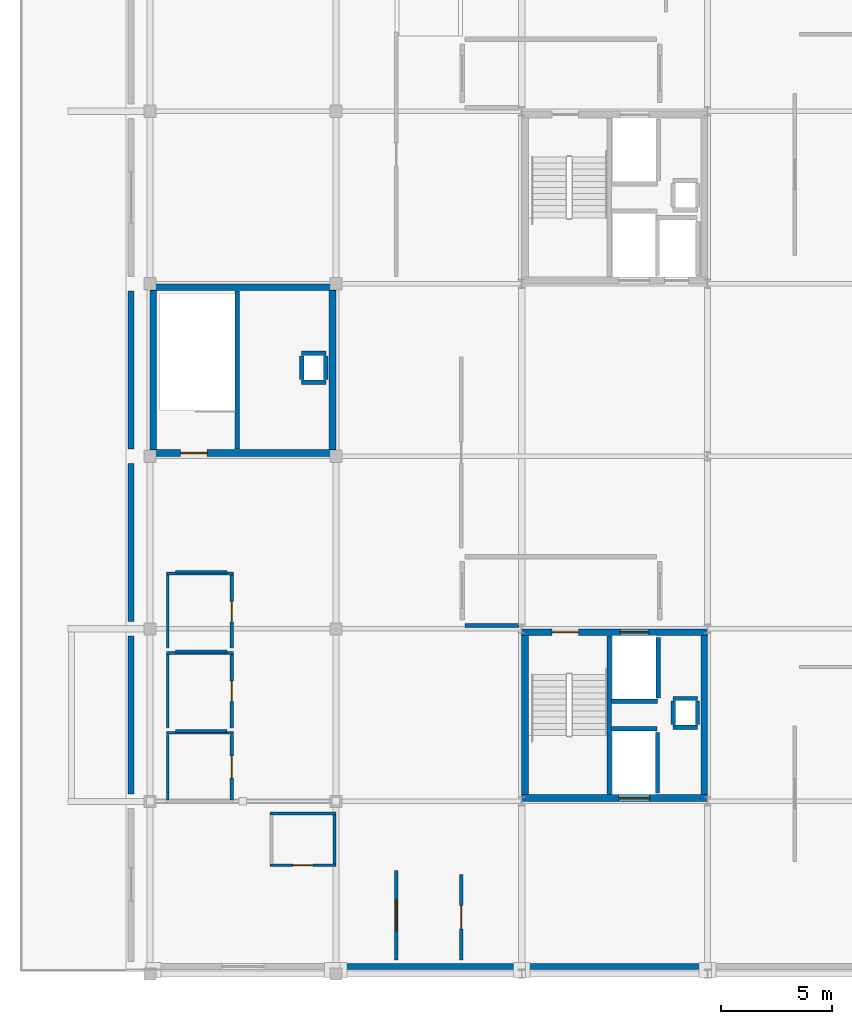
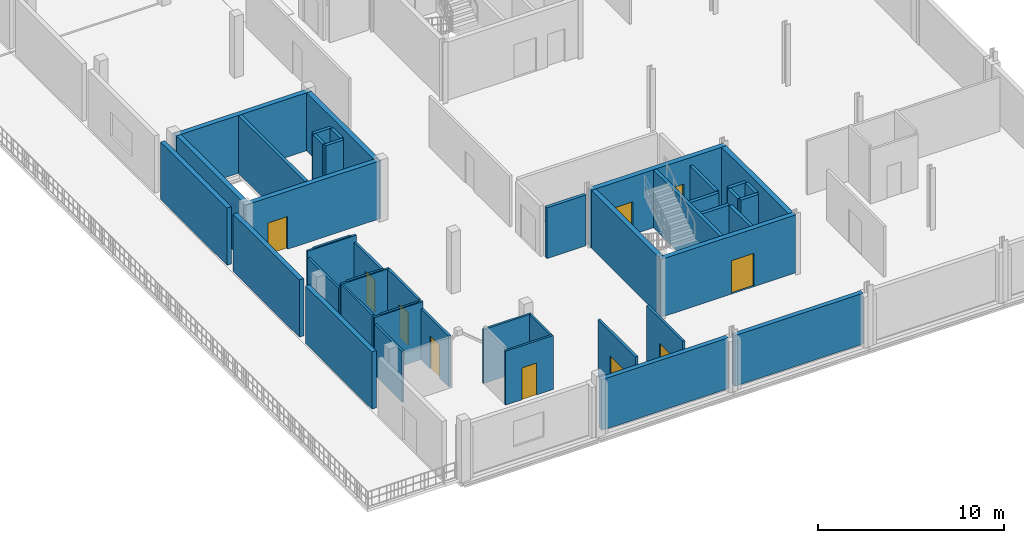
# One storey, part 7 of 16: 45 walls, 10 doors, 10 openings.
"""IFC4 building model written with IfcOpenShell, lengths in metres."""

from ifc_helpers import new_model, si_unit, direction, frame, frame_2d, origin, place, context, subcontext, project, spatial, rectangle, extrude, material, layer, layer_set, type_object, element, fill, save


model = new_model("IFC4")

# Units and contexts
model_context = context("Model", 3, precision=1e-05, world=origin(), true_north=direction((0.0, 1.0)))
body_context = subcontext(model_context, "Body", "Model", "MODEL_VIEW")
ifc_project = project(units=[si_unit("LENGTHUNIT", "METRE"), si_unit("AREAUNIT", "SQUARE_METRE"), si_unit("VOLUMEUNIT", "CUBIC_METRE"), si_unit("PLANEANGLEUNIT", "RADIAN"), si_unit("MASSUNIT", "GRAM", prefix="KILO")], contexts=[model_context])

# Site, building, storey
site_placement = place(None, origin())
site = spatial("IfcSite", under=ifc_project, at=site_placement, CompositionType="ELEMENT")
building_placement = place(site_placement, origin())
building = spatial("IfcBuilding", under=site, at=building_placement, Name="Nabrawat Pavilion Hospital", CompositionType="ELEMENT")
storey_placement = place(building_placement, frame((0.0, 0.0, 31.050048828125)))
storey = spatial("IfcBuildingStorey", under=building, at=storey_placement, Name="L07", CompositionType="ELEMENT", Elevation=31.050048828125)

# Wall, opening, door
ifc_material_1 = material(Name="Gypsum Fireboard on Steel Stud", Category="steel")
ifc_layer_1 = layer(ifc_material_1, 0.14990234375, Name="Gypsum Fireboard on Steel Stud")
ifc_layer_set_1 = layer_set([ifc_layer_1], Name="Gypsum Fireboard on Steel Stud")
wall_type_1 = type_object("IfcWallType", Name="Clinical Corridor Smoke-Barrier Wall 150", PredefinedType="PARTITIONING", material=ifc_layer_set_1)
wall_1_placement = place(storey_placement, frame((154.89990234375, 46.864990234375, 0.0), z_axis=(0.0, 0.0, 1.0), x_axis=(0.0, 1.0, 0.0)))
wall_1 = element("IfcWall", 1, at=wall_1_placement, inside=storey, type_object=wall_type_1, Name="L07 L07 Accessible WC Front Partition", PredefinedType="PARTITIONING", context=body_context, shape_type="SweptSolid", body=[
    extrude(rectangle(XDim=2.969970703125, YDim=0.14990234375, at=frame_2d((1.48486328125, 0.0))), origin(), (0.0, 0.0, 1.0), 3.33984375),
])
opening_1_placement = place(wall_1_placement, frame((0.985107421875, 0.0, 0.0)))
opening_1 = element("IfcOpeningElement", 2, at=opening_1_placement, cuts=wall_1, Name="Opening D-WC-ACC", PredefinedType="OPENING", context=body_context, shape_type="SweptSolid", body=[
    extrude(rectangle(XDim=1.0, YDim=2.14990234375, at=frame_2d((0.5, 1.074951171875))), frame((0.0, 0.0849609375, 0.0), z_axis=(0.0, -1.0, 0.0), x_axis=(1.0, 0.0, 0.0)), (0.0, 0.0, 1.0), 0.169921875),
])
ifc_material_2 = material(Name="Stainless-Clad Acoustic Timber and Vision Glass", Category="wood")
door_type_1 = type_object("IfcDoorType", Name="Accessible Washroom Outward Door 1000x2150", OperationType="NOTDEFINED", PredefinedType="DOOR", material=ifc_material_2)
door_1_placement = place(opening_1_placement, origin())
door_1 = element("IfcDoor", 3, at=door_1_placement, inside=storey, type_object=door_type_1, Name="L07 Accessible WC Door", OperationType="SINGLE_SWING_LEFT", OverallHeight=2.14990234375, OverallWidth=1.0, PredefinedType="DOOR", context=body_context, shape_type="SweptSolid", body=[
    extrude(rectangle(XDim=1.0, YDim=2.14990234375, at=frame_2d((0.5, 1.074951171875))), frame((0.0, 0.02490234375, 0.0), z_axis=(0.0, -1.0, 0.0), x_axis=(1.0, 0.0, 0.0)), (0.0, 0.0, 1.0), 0.050048828125),
])
fill(opening_1, door_1)

wall_2_placement = place(storey_placement, frame((154.89990234375, 50.125, 0.0), z_axis=(0.0, 0.0, 1.0), x_axis=(0.0, 1.0, 0.0)))
wall_2 = element("IfcWall", 4, at=wall_2_placement, inside=storey, type_object=wall_type_1, Name="L07 L07 Visitor Female Washroom Front Partition", PredefinedType="PARTITIONING", context=body_context, shape_type="SweptSolid", body=[
    extrude(rectangle(XDim=3.31005859375, YDim=0.14990234375, at=frame_2d((1.655029296875, 0.0))), origin(), (0.0, 0.0, 1.0), 3.77001953125),
])
opening_2_placement = place(wall_2_placement, frame((1.195068359375, 0.0, 0.0)))
opening_2 = element("IfcOpeningElement", 5, at=opening_2_placement, cuts=wall_2, Name="Opening D-WC-STD", PredefinedType="OPENING", context=body_context, shape_type="SweptSolid", body=[
    extrude(rectangle(XDim=0.919921875, YDim=2.14990234375, at=frame_2d((0.4599609375, 1.074951171875))), frame((0.0, 0.0849609375, 0.0), z_axis=(0.0, -1.0, 0.0), x_axis=(1.0, 0.0, 0.0)), (0.0, 0.0, 1.0), 0.169921875),
])
door_type_2 = type_object("IfcDoorType", Name="Washroom Lobby Privacy Door 920x2150", OperationType="NOTDEFINED", PredefinedType="DOOR", material=ifc_material_2)
door_2_placement = place(opening_2_placement, origin())
door_2 = element("IfcDoor", 6, at=door_2_placement, inside=storey, type_object=door_type_2, Name="L07 Visitor Female Washroom Door", OperationType="SINGLE_SWING_RIGHT", OverallHeight=2.14990234375, OverallWidth=0.919921875, PredefinedType="DOOR", context=body_context, shape_type="SweptSolid", body=[
    extrude(rectangle(XDim=0.919921875, YDim=2.14990234375, at=frame_2d((0.4599609375, 1.074951171875))), frame((0.0, 0.02490234375, 0.0), z_axis=(0.0, -1.0, 0.0), x_axis=(1.0, 0.0, 0.0)), (0.0, 0.0, 1.0), 0.050048828125),
])
fill(opening_2, door_2)

wall_3_placement = place(storey_placement, frame((154.89990234375, 53.72509765625, 0.0), z_axis=(0.0, 0.0, 1.0), x_axis=(0.0, 1.0, 0.0)))
wall_3 = element("IfcWall", 7, at=wall_3_placement, inside=storey, type_object=wall_type_1, Name="L07 L07 Visitor Male Washroom Front Partition", PredefinedType="PARTITIONING", context=body_context, shape_type="SweptSolid", body=[
    extrude(rectangle(XDim=3.309814453125, YDim=0.14990234375, at=frame_2d((1.65478515625, 0.0))), origin(), (0.0, 0.0, 1.0), 3.33984375),
])
opening_3_placement = place(wall_3_placement, frame((1.195068359375, 0.0, 0.0)))
opening_3 = element("IfcOpeningElement", 8, at=opening_3_placement, cuts=wall_3, Name="Opening D-WC-STD", PredefinedType="OPENING", context=body_context, shape_type="SweptSolid", body=[
    extrude(rectangle(XDim=0.919921875, YDim=2.14990234375, at=frame_2d((0.4599609375, 1.074951171875))), frame((0.0, 0.0849609375, 0.0), z_axis=(0.0, -1.0, 0.0), x_axis=(1.0, 0.0, 0.0)), (0.0, 0.0, 1.0), 0.169921875),
])
door_3_placement = place(opening_3_placement, origin())
door_3 = element("IfcDoor", 9, at=door_3_placement, inside=storey, type_object=door_type_2, Name="L07 Visitor Male Washroom Door", OperationType="SINGLE_SWING_LEFT", OverallHeight=2.14990234375, OverallWidth=0.919921875, PredefinedType="DOOR", context=body_context, shape_type="SweptSolid", body=[
    extrude(rectangle(XDim=0.919921875, YDim=2.14990234375, at=frame_2d((0.4599609375, 1.074951171875))), frame((0.0, 0.02490234375, 0.0), z_axis=(0.0, -1.0, 0.0), x_axis=(1.0, 0.0, 0.0)), (0.0, 0.0, 1.0), 0.050048828125),
])
fill(opening_3, door_3)

wall_4_placement = place(storey_placement, frame((162.3349609375, 39.6201171875, 0.0), z_axis=(0.0, 0.0, 1.0), x_axis=(0.0, 1.0, 0.0)))
wall_4 = element("IfcWall", 10, at=wall_4_placement, inside=storey, type_object=wall_type_1, Name="L07 Inpatient Ward Acute Recovery Suite L07-01 Front Partition", PredefinedType="PARTITIONING", context=body_context, shape_type="SweptSolid", body=[
    extrude(rectangle(XDim=4.0498046875, YDim=0.14990234375, at=frame_2d((2.02490234375, 0.0))), origin(), (0.0, 0.0, 1.0), 3.77001953125),
])
opening_4_placement = place(wall_4_placement, frame((1.324951171875, 0.0, 0.0)))
opening_4 = element("IfcOpeningElement", 11, at=opening_4_placement, cuts=wall_4, Name="Opening D-BED", PredefinedType="OPENING", context=body_context, shape_type="SweptSolid", body=[
    extrude(rectangle(XDim=1.39990234375, YDim=2.199951171875, at=frame_2d((0.699951171875, 1.10009765625))), frame((0.0, 0.0849609375, 0.0), z_axis=(0.0, -1.0, 0.0), x_axis=(1.0, 0.0, 0.0)), (0.0, 0.0, 1.0), 0.169921875),
])
door_type_3 = type_object("IfcDoorType", Name="D-BED Inpatient Ward Leaf-and-a-Half Door 1400x2200", OperationType="NOTDEFINED", PredefinedType="DOOR", material=ifc_material_2)
door_4_placement = place(opening_4_placement, origin())
door_4 = element("IfcDoor", 12, at=door_4_placement, inside=storey, type_object=door_type_3, Name="Inpatient Ward Acute Recovery Suite L07-01 Door", OperationType="SINGLE_SWING_LEFT", OverallHeight=2.199951171875, OverallWidth=1.39990234375, PredefinedType="DOOR", context=body_context, shape_type="SweptSolid", body=[
    extrude(rectangle(XDim=1.39990234375, YDim=2.199951171875, at=frame_2d((0.699951171875, 1.10009765625))), frame((0.0, 0.02490234375, 0.0), z_axis=(0.0, -1.0, 0.0), x_axis=(1.0, 0.0, 0.0)), (0.0, 0.0, 1.0), 0.050048828125),
])
fill(opening_4, door_4)

wall_5_placement = place(storey_placement, frame((165.264892578125, 39.6201171875, 0.0), z_axis=(0.0, 0.0, 1.0), x_axis=(0.0, 1.0, 0.0)))
wall_5 = element("IfcWall", 13, at=wall_5_placement, inside=storey, type_object=wall_type_1, Name="L07 Respiratory Pulmonary Rehabilitation Suite L07-03 Front Partition", PredefinedType="PARTITIONING", context=body_context, shape_type="SweptSolid", body=[
    extrude(rectangle(XDim=3.8798828125, YDim=0.14990234375, at=frame_2d((1.93994140625, 0.0))), origin(), (0.0, 0.0, 1.0), 3.77001953125),
])
opening_5_placement = place(wall_5_placement, frame((1.4150390625, 0.0, 0.0)))
opening_5 = element("IfcOpeningElement", 14, at=opening_5_placement, cuts=wall_5, Name="Opening D-OPC-L", PredefinedType="OPENING", context=body_context, shape_type="SweptSolid", body=[
    extrude(rectangle(XDim=1.050048828125, YDim=2.14990234375, at=frame_2d((0.52490234375, 1.074951171875))), frame((0.0, 0.0849609375, 0.0), z_axis=(0.0, -1.0, 0.0), x_axis=(1.0, 0.0, 0.0)), (0.0, 0.0, 1.0), 0.169921875),
])
door_type_4 = type_object("IfcDoorType", Name="Outpatient Clinic Consultation Door L 1050x2150", OperationType="NOTDEFINED", PredefinedType="DOOR", material=ifc_material_2)
door_5_placement = place(opening_5_placement, origin())
door_5 = element("IfcDoor", 15, at=door_5_placement, inside=storey, type_object=door_type_4, Name="Respiratory Pulmonary Rehabilitation Suite L07-03 Door", OperationType="SINGLE_SWING_RIGHT", OverallHeight=2.14990234375, OverallWidth=1.050048828125, PredefinedType="DOOR", context=body_context, shape_type="SweptSolid", body=[
    extrude(rectangle(XDim=1.050048828125, YDim=2.14990234375, at=frame_2d((0.52490234375, 1.074951171875))), frame((0.0, 0.02490234375, 0.0), z_axis=(0.0, -1.0, 0.0), x_axis=(1.0, 0.0, 0.0)), (0.0, 0.0, 1.0), 0.050048828125),
])
fill(opening_5, door_5)

# Walls
ifc_material_3 = material(Name="Cement Board on Steel Stud", Category="steel")
ifc_layer_2 = layer(ifc_material_3, 0.1298828125, Name="Cement Board on Steel Stud")
ifc_layer_set_2 = layer_set([ifc_layer_2], Name="Cement Board on Steel Stud")
wall_type_2 = type_object("IfcWallType", Name="En-Suite Moisture-Resistant Partition 130", PredefinedType="PARTITIONING", material=ifc_layer_set_2)
wall_6_placement = place(storey_placement, frame((151.93505859375, 49.89990234375, 0.0), z_axis=(0.0, 0.0, 1.0), x_axis=(1.0, 0.0, 0.0)))
element("IfcWall", 16, at=wall_6_placement, inside=storey, type_object=wall_type_2, Name="L07 L07 Accessible WC North Partition", PredefinedType="PARTITIONING", context=body_context, shape_type="SweptSolid", body=[
    extrude(rectangle(XDim=3.030029296875, YDim=0.1298828125, at=frame_2d((1.51513671875, 0.0))), origin(), (0.0, 0.0, 1.0), 3.77001953125),
])
wall_7_placement = place(storey_placement, frame((152.0, 46.864990234375, 0.0), z_axis=(0.0, 0.0, 1.0), x_axis=(0.0, 1.0, 0.0)))
element("IfcWall", 17, at=wall_7_placement, inside=storey, type_object=wall_type_2, Name="L07 L07 Accessible WC West Partition", PredefinedType="PARTITIONING", context=body_context, shape_type="SweptSolid", body=[
    extrude(rectangle(XDim=2.969970703125, YDim=0.1298828125, at=frame_2d((1.48486328125, 0.0))), origin(), (0.0, 0.0, 1.0), 3.33984375),
])
wall_8_placement = place(storey_placement, frame((152.35009765625, 49.97998046875, 0.0), z_axis=(0.0, 0.0, 1.0), x_axis=(1.0, 0.0, 0.0)))
element("IfcWall", 18, at=wall_8_placement, inside=storey, type_object=wall_type_2, Name="L07 L07 Accessible WC Dividing Partition", PredefinedType="PARTITIONING", context=body_context, shape_type="SweptSolid", body=[
    extrude(rectangle(XDim=2.329833984375, YDim=0.1298828125, at=frame_2d((1.1650390625, 0.0))), origin(), (0.0, 0.0, 1.0), 3.77001953125),
])
wall_9_placement = place(storey_placement, frame((151.93505859375, 53.5, 0.0), z_axis=(0.0, 0.0, 1.0), x_axis=(1.0, 0.0, 0.0)))
element("IfcWall", 19, at=wall_9_placement, inside=storey, type_object=wall_type_2, Name="L07 L07 Visitor Female Washroom North Partition", PredefinedType="PARTITIONING", context=body_context, shape_type="SweptSolid", body=[
    extrude(rectangle(XDim=3.030029296875, YDim=0.1298828125, at=frame_2d((1.51513671875, 0.0))), origin(), (0.0, 0.0, 1.0), 3.77001953125),
])
wall_10_placement = place(storey_placement, frame((152.0, 50.125, 0.0), z_axis=(0.0, 0.0, 1.0), x_axis=(0.0, 1.0, 0.0)))
element("IfcWall", 20, at=wall_10_placement, inside=storey, type_object=wall_type_2, Name="L07 L07 Visitor Female Washroom West Partition", PredefinedType="PARTITIONING", context=body_context, shape_type="SweptSolid", body=[
    extrude(rectangle(XDim=3.31005859375, YDim=0.1298828125, at=frame_2d((1.655029296875, 0.0))), origin(), (0.0, 0.0, 1.0), 3.77001953125),
])
wall_11_placement = place(storey_placement, frame((152.35009765625, 53.580078125, 0.0), z_axis=(0.0, 0.0, 1.0), x_axis=(1.0, 0.0, 0.0)))
element("IfcWall", 21, at=wall_11_placement, inside=storey, type_object=wall_type_2, Name="L07 L07 Visitor Female Washroom Dividing Partition", PredefinedType="PARTITIONING", context=body_context, shape_type="SweptSolid", body=[
    extrude(rectangle(XDim=2.329833984375, YDim=0.1298828125, at=frame_2d((1.1650390625, 0.0))), origin(), (0.0, 0.0, 1.0), 3.77001953125),
])
wall_12_placement = place(storey_placement, frame((151.93505859375, 57.10009765625, 0.0), z_axis=(0.0, 0.0, 1.0), x_axis=(1.0, 0.0, 0.0)))
element("IfcWall", 22, at=wall_12_placement, inside=storey, type_object=wall_type_2, Name="L07 L07 Visitor Male Washroom North Partition", PredefinedType="PARTITIONING", context=body_context, shape_type="SweptSolid", body=[
    extrude(rectangle(XDim=3.030029296875, YDim=0.1298828125, at=frame_2d((1.51513671875, 0.0))), origin(), (0.0, 0.0, 1.0), 3.77001953125),
])
wall_13_placement = place(storey_placement, frame((152.0, 53.72509765625, 0.0), z_axis=(0.0, 0.0, 1.0), x_axis=(0.0, 1.0, 0.0)))
element("IfcWall", 23, at=wall_13_placement, inside=storey, type_object=wall_type_2, Name="L07 L07 Visitor Male Washroom West Partition", PredefinedType="PARTITIONING", context=body_context, shape_type="SweptSolid", body=[
    extrude(rectangle(XDim=3.309814453125, YDim=0.1298828125, at=frame_2d((1.65478515625, 0.0))), origin(), (0.0, 0.0, 1.0), 3.33984375),
])
wall_14_placement = place(storey_placement, frame((152.35009765625, 57.179931640625, 0.0), z_axis=(0.0, 0.0, 1.0), x_axis=(1.0, 0.0, 0.0)))
element("IfcWall", 24, at=wall_14_placement, inside=storey, type_object=wall_type_2, Name="L07 L07 Visitor Male Washroom Dividing Partition", PredefinedType="PARTITIONING", context=body_context, shape_type="SweptSolid", body=[
    extrude(rectangle(XDim=2.329833984375, YDim=0.1298828125, at=frame_2d((1.1650390625, 0.0))), origin(), (0.0, 0.0, 1.0), 3.77001953125),
])

# Wall, opening, door
wall_15_placement = place(storey_placement, frame((156.6201171875, 43.909912109375, 0.0), z_axis=(0.0, 0.0, 1.0), x_axis=(1.0, 0.0, 0.0)))
wall_15 = element("IfcWall", 25, at=wall_15_placement, inside=storey, type_object=wall_type_2, Name="L07 En-Suite Bathroom WRD-VIP-01 Front Partition", PredefinedType="PARTITIONING", context=body_context, shape_type="SweptSolid", body=[
    extrude(rectangle(XDim=2.97998046875, YDim=0.1298828125, at=frame_2d((1.489990234375, 0.0))), origin(), (0.0, 0.0, 1.0), 3.550048828125),
])
opening_6_placement = place(wall_15_placement, frame((1.0400390625, 0.0, 0.0)))
opening_6 = element("IfcOpeningElement", 26, at=opening_6_placement, cuts=wall_15, Name="Opening D-ENS-L", PredefinedType="OPENING", context=body_context, shape_type="SweptSolid", body=[
    extrude(rectangle(XDim=0.89990234375, YDim=2.10009765625, at=frame_2d((0.449951171875, 1.050048828125))), frame((0.0, 0.074951171875, 0.0), z_axis=(0.0, -1.0, 0.0), x_axis=(1.0, 0.0, 0.0)), (0.0, 0.0, 1.0), 0.14990234375),
])
door_type_5 = type_object("IfcDoorType", Name="En-Suite Bathroom Outward Door L 900x2100", OperationType="NOTDEFINED", PredefinedType="DOOR", material=ifc_material_2)
door_6_placement = place(opening_6_placement, origin())
door_6 = element("IfcDoor", 27, at=door_6_placement, inside=storey, type_object=door_type_5, Name="En-Suite Bathroom WRD-VIP-01 Door", OperationType="SINGLE_SWING_RIGHT", OverallHeight=2.10009765625, OverallWidth=0.89990234375, PredefinedType="DOOR", context=body_context, shape_type="SweptSolid", body=[
    extrude(rectangle(XDim=0.89990234375, YDim=2.10009765625, at=frame_2d((0.449951171875, 1.050048828125))), frame((0.0, 0.02490234375, 0.0), z_axis=(0.0, -1.0, 0.0), x_axis=(1.0, 0.0, 0.0)), (0.0, 0.0, 1.0), 0.050048828125),
])
fill(opening_6, door_6)

# Walls
wall_16_placement = place(storey_placement, frame((156.6201171875, 46.260009765625, 0.0), z_axis=(0.0, 0.0, 1.0), x_axis=(1.0, 0.0, 0.0)))
element("IfcWall", 28, at=wall_16_placement, inside=storey, type_object=wall_type_2, Name="L07 En-Suite Bathroom WRD-VIP-01 North Partition", PredefinedType="PARTITIONING", context=body_context, shape_type="SweptSolid", body=[
    extrude(rectangle(XDim=2.97998046875, YDim=0.1298828125, at=frame_2d((1.489990234375, 0.0))), origin(), (0.0, 0.0, 1.0), 3.550048828125),
])
wall_17_placement = place(storey_placement, frame((159.534912109375, 43.97509765625, 0.0), z_axis=(0.0, 0.0, 1.0), x_axis=(0.0, 1.0, 0.0)))
element("IfcWall", 29, at=wall_17_placement, inside=storey, type_object=wall_type_2, Name="L07 En-Suite Bathroom WRD-VIP-01 East Partition", PredefinedType="PARTITIONING", context=body_context, shape_type="SweptSolid", body=[
    extrude(rectangle(XDim=2.219970703125, YDim=0.1298828125, at=frame_2d((1.10986328125, 0.0))), origin(), (0.0, 0.0, 1.0), 3.550048828125),
])
ifc_material_4 = material(Name="Concrete C35/45", Category="concrete")
ifc_layer_3 = layer(ifc_material_4, 0.199951171875, Name="Concrete C35/45")
ifc_layer_set_3 = layer_set([ifc_layer_3], Name="Concrete C35/45")
wall_type_3 = type_object("IfcWallType", Name="Firefighting Lobby Compartment Wall 200", PredefinedType="PARTITIONING", material=ifc_layer_set_3)
wall_18_placement = place(storey_placement, frame((165.43994140625, 54.75, 0.0), z_axis=(0.0, 0.0, 1.0), x_axis=(1.0, 0.0, 0.0)))
element("IfcWall", 30, at=wall_18_placement, inside=storey, type_object=wall_type_3, Name="L07 CORE-5 Firefighting Lobby South Return Wall", PredefinedType="PARTITIONING", context=body_context, shape_type="SweptSolid", body=[
    extrude(rectangle(XDim=2.43994140625, YDim=0.199951171875, at=frame_2d((1.219970703125, 0.0))), origin(), (0.0, 0.0, 1.0), 3.33984375),
])
ifc_material_5 = material(Name="Precast concrete C40/50", Category="concrete")
ifc_layer_4 = layer(ifc_material_5, 0.280029296875, Name="Precast concrete C40/50")
ifc_layer_set_4 = layer_set([ifc_layer_4], Name="Precast concrete C40/50")
wall_type_4 = type_object("IfcWallType", Name="Insulated Precast Facade Wall 280", PredefinedType="SOLIDWALL", material=ifc_layer_set_4)
for number, where, z_axis, x_axis, name in (
    (31, (150.340087890625, 47.125, 0.0), (0.0, 0.0, 1.0), (0.0, 1.0, 0.0), "L07 Insulated Precast Facade Wall 280 417"),
    (32, (150.340087890625, 54.925048828125, 0.0), (0.0, 0.0, 1.0), (0.0, 1.0, 0.0), "L07 Insulated Precast Facade Wall 280 418"),
    (33, (150.340087890625, 62.72509765625, 0.0), (0.0, 0.0, 1.0), (0.0, 1.0, 0.0), "L07 Insulated Precast Facade Wall 280 419"),
):
    element("IfcWall", number, at=place(storey_placement, frame(where, z_axis=z_axis, x_axis=x_axis)), inside=storey, type_object=wall_type_4, Name=name, PredefinedType="SOLIDWALL", context=body_context, shape_type="SweptSolid", body=[
        extrude(rectangle(XDim=7.14990234375, YDim=0.280029296875, at=frame_2d((3.574951171875, 0.0))), origin(), (0.0, 0.0, 1.0), 3.77001953125),
    ])
wall_19_placement = place(storey_placement, frame((159.925048828125, 39.340087890625, 0.0), z_axis=(0.0, 0.0, 1.0), x_axis=(1.0, 0.0, 0.0)))
element("IfcWall", 34, at=wall_19_placement, inside=storey, type_object=wall_type_4, Name="L07 Insulated Precast Facade Wall 280 426", PredefinedType="SOLIDWALL", context=body_context, shape_type="SweptSolid", body=[
    extrude(rectangle(XDim=7.875, YDim=0.280029296875, at=frame_2d((3.9375, 0.0))), origin(), (0.0, 0.0, 1.0), 3.33984375),
])
wall_20_placement = place(storey_placement, frame((168.199951171875, 39.340087890625, 0.0), z_axis=(0.0, 0.0, 1.0), x_axis=(1.0, 0.0, 0.0)))
element("IfcWall", 35, at=wall_20_placement, inside=storey, type_object=wall_type_4, Name="L07 Insulated Precast Facade Wall 280 427", PredefinedType="SOLIDWALL", context=body_context, shape_type="SweptSolid", body=[
    extrude(rectangle(XDim=8.0, YDim=0.280029296875, at=frame_2d((4.0, 0.0))), origin(), (0.0, 0.0, 1.0), 3.33984375),
])
ifc_layer_5 = layer(ifc_material_4, 0.199951171875, Name="Concrete C35/45")
ifc_layer_set_5 = layer_set([ifc_layer_5], Name="Concrete C35/45")
wall_type_5 = type_object("IfcWallType", Name="Lift and Riser Fire Shaft Wall 200", PredefinedType="PARTITIONING", material=ifc_layer_set_5)
wall_21_placement = place(storey_placement, frame((171.949951171875, 47.1201171875, 0.0), z_axis=(0.0, 0.0, 1.0), x_axis=(0.0, 1.0, 0.0)))
element("IfcWall", 36, at=wall_21_placement, inside=storey, type_object=wall_type_5, Name="L07 CORE-5 Stair-Lift Dividing Shear Wall", PredefinedType="SHEAR", context=body_context, shape_type="SweptSolid", body=[
    extrude(rectangle(XDim=7.159912109375, YDim=0.199951171875, at=frame_2d((3.580078125, 0.0))), origin(), (0.0, 0.0, 1.0), 3.81005859375),
])
for number, where, z_axis, x_axis, name in (
    (37, (174.85009765625, 50.14990234375, 0.0), (0.0, 0.0, 1.0), (1.0, 0.0, 0.0), "L07 CORE-5 MEP Riser Shaft Wall S"),
    (38, (174.85009765625, 51.449951171875, 0.0), (0.0, 0.0, 1.0), (1.0, 0.0, 0.0), "L07 CORE-5 MEP Riser Shaft Wall N"),
):
    element("IfcWall", number, at=place(storey_placement, frame(where, z_axis=z_axis, x_axis=x_axis)), inside=storey, type_object=wall_type_5, Name=name, PredefinedType="PARTITIONING", context=body_context, shape_type="SweptSolid", body=[
        extrude(rectangle(XDim=1.099853515625, YDim=0.199951171875, at=frame_2d((0.5498046875, 0.0))), origin(), (0.0, 0.0, 1.0), 3.33984375),
    ])
for number, where, z_axis, x_axis, name in (
    (39, (174.85009765625, 50.27001953125, 0.0), (0.0, 0.0, 1.0), (0.0, 1.0, 0.0), "L07 CORE-5 MEP Riser Shaft Wall W"),
    (40, (175.949951171875, 50.27001953125, 0.0), (0.0, 0.0, 1.0), (0.0, 1.0, 0.0), "L07 CORE-5 MEP Riser Shaft Wall E"),
):
    element("IfcWall", number, at=place(storey_placement, frame(where, z_axis=z_axis, x_axis=x_axis)), inside=storey, type_object=wall_type_5, Name=name, PredefinedType="PARTITIONING", context=body_context, shape_type="SweptSolid", body=[
        extrude(rectangle(XDim=1.06005859375, YDim=0.199951171875, at=frame_2d((0.530029296875, 0.0))), origin(), (0.0, 0.0, 1.0), 3.33984375),
    ])
wall_22_placement = place(storey_placement, frame((174.179931640625, 51.47998046875, 0.0), z_axis=(0.0, 0.0, 1.0), x_axis=(0.0, 1.0, 0.0)))
element("IfcWall", 41, at=wall_22_placement, inside=storey, type_object=wall_type_5, Name="L07 Lift LF-01 Shaft East Wall", PredefinedType="PARTITIONING", context=body_context, shape_type="SweptSolid", body=[
    extrude(rectangle(XDim=2.739990234375, YDim=0.199951171875, at=frame_2d((1.3701171875, 0.0))), origin(), (0.0, 0.0, 1.0), 3.33984375),
])
wall_23_placement = place(storey_placement, frame((172.050048828125, 51.320068359375, 0.0), z_axis=(0.0, 0.0, 1.0), x_axis=(1.0, 0.0, 0.0)))
element("IfcWall", 42, at=wall_23_placement, inside=storey, type_object=wall_type_5, Name="L07 Lift LF-01 Shaft Back Wall", PredefinedType="PARTITIONING", context=body_context, shape_type="SweptSolid", body=[
    extrude(rectangle(XDim=2.099853515625, YDim=0.199951171875, at=frame_2d((1.0498046875, 0.0))), origin(), (0.0, 0.0, 1.0), 3.33984375),
])
wall_24_placement = place(storey_placement, frame((174.139892578125, 47.179931640625, 0.0), z_axis=(0.0, 0.0, 1.0), x_axis=(0.0, 1.0, 0.0)))
element("IfcWall", 43, at=wall_24_placement, inside=storey, type_object=wall_type_5, Name="L07 Lift LB-03 Shaft East Wall", PredefinedType="PARTITIONING", context=body_context, shape_type="SweptSolid", body=[
    extrude(rectangle(XDim=2.739990234375, YDim=0.199951171875, at=frame_2d((1.3701171875, 0.0))), origin(), (0.0, 0.0, 1.0), 3.33984375),
])
wall_25_placement = place(storey_placement, frame((172.050048828125, 50.080078125, 0.0), z_axis=(0.0, 0.0, 1.0), x_axis=(1.0, 0.0, 0.0)))
element("IfcWall", 44, at=wall_25_placement, inside=storey, type_object=wall_type_5, Name="L07 Lift LB-03 Shaft Back Wall", PredefinedType="PARTITIONING", context=body_context, shape_type="SweptSolid", body=[
    extrude(rectangle(XDim=2.06005859375, YDim=0.199951171875, at=frame_2d((1.030029296875, 0.0))), origin(), (0.0, 0.0, 1.0), 3.33984375),
])
wall_26_placement = place(storey_placement, frame((155.14990234375, 62.719970703125, 0.0), z_axis=(0.0, 0.0, 1.0), x_axis=(0.0, 1.0, 0.0)))
element("IfcWall", 45, at=wall_26_placement, inside=storey, type_object=wall_type_5, Name="L07 CORE-9 Stair-Lift Dividing Shear Wall", PredefinedType="SHEAR", context=body_context, shape_type="SweptSolid", body=[
    extrude(rectangle(XDim=7.159912109375, YDim=0.199951171875, at=frame_2d((3.580078125, 0.0))), origin(), (0.0, 0.0, 1.0), 3.81005859375),
])
for number, where, z_axis, x_axis, name in (
    (46, (158.050048828125, 65.75, 0.0), (0.0, 0.0, 1.0), (1.0, 0.0, 0.0), "L07 CORE-9 MEP Riser Shaft Wall S"),
    (47, (158.050048828125, 67.050048828125, 0.0), (0.0, 0.0, 1.0), (1.0, 0.0, 0.0), "L07 CORE-9 MEP Riser Shaft Wall N"),
):
    element("IfcWall", number, at=place(storey_placement, frame(where, z_axis=z_axis, x_axis=x_axis)), inside=storey, type_object=wall_type_5, Name=name, PredefinedType="PARTITIONING", context=body_context, shape_type="SweptSolid", body=[
        extrude(rectangle(XDim=1.099853515625, YDim=0.199951171875, at=frame_2d((0.5498046875, 0.0))), origin(), (0.0, 0.0, 1.0), 3.33984375),
    ])
for number, where, z_axis, x_axis, name in (
    (48, (158.050048828125, 65.8701171875, 0.0), (0.0, 0.0, 1.0), (0.0, 1.0, 0.0), "L07 CORE-9 MEP Riser Shaft Wall W"),
    (49, (159.14990234375, 65.8701171875, 0.0), (0.0, 0.0, 1.0), (0.0, 1.0, 0.0), "L07 CORE-9 MEP Riser Shaft Wall E"),
):
    element("IfcWall", number, at=place(storey_placement, frame(where, z_axis=z_axis, x_axis=x_axis)), inside=storey, type_object=wall_type_5, Name=name, PredefinedType="PARTITIONING", context=body_context, shape_type="SweptSolid", body=[
        extrude(rectangle(XDim=1.059814453125, YDim=0.199951171875, at=frame_2d((0.52978515625, 0.0))), origin(), (0.0, 0.0, 1.0), 3.33984375),
    ])

# Wall, opening, door
ifc_material_6 = material(Name="Concrete C40/50", Category="concrete")
ifc_layer_6 = layer(ifc_material_6, 0.300048828125, Name="Concrete C40/50")
ifc_layer_set_6 = layer_set([ifc_layer_6], Name="Concrete C40/50")
wall_type_6 = type_object("IfcWallType", Name="Reinforced Concrete Core Shear Wall 300", PredefinedType="SHEAR", material=ifc_layer_set_6)
wall_27_placement = place(storey_placement, frame((168.0, 46.949951171875, 0.0), z_axis=(0.0, 0.0, 1.0), x_axis=(1.0, 0.0, 0.0)))
wall_27 = element("IfcWall", 50, at=wall_27_placement, inside=storey, type_object=wall_type_6, Name="L07 CORE-5 South Core Shear Wall", PredefinedType="SHEAR", context=body_context, shape_type="SweptSolid", body=[
    extrude(rectangle(XDim=8.39990234375, YDim=0.300048828125, at=frame_2d((4.199951171875, 0.0))), origin(), (0.0, 0.0, 1.0), 3.81005859375),
])
opening_7_placement = place(wall_27_placement, frame((4.3798828125, 0.0, 0.0)))
opening_7 = element("IfcOpeningElement", 51, at=opening_7_placement, cuts=wall_27, Name="Opening LD-LB-03", PredefinedType="OPENING", context=body_context, shape_type="SweptSolid", body=[
    extrude(rectangle(XDim=1.39990234375, YDim=2.199951171875, at=frame_2d((0.699951171875, 1.10009765625))), frame((0.0, 0.16015625, 0.0), z_axis=(0.0, -1.0, 0.0), x_axis=(1.0, 0.0, 0.0)), (0.0, 0.0, 1.0), 0.320068359375),
])
door_type_6 = type_object("IfcDoorType", Name="Hospital Bed Lift Sliding Landing Door 1400x2200", OperationType="DOUBLE_DOOR_SLIDING", PredefinedType="DOOR", material=ifc_material_2)
door_7_placement = place(opening_7_placement, origin())
door_7 = element("IfcDoor", 52, at=door_7_placement, inside=storey, type_object=door_type_6, Name="L07 Lift LB-03 Sliding Landing Door", OperationType="DOUBLE_DOOR_SLIDING", OverallHeight=2.199951171875, OverallWidth=1.39990234375, PredefinedType="DOOR", context=body_context, shape_type="SweptSolid", body=[
    extrude(rectangle(XDim=1.39990234375, YDim=2.199951171875, at=frame_2d((0.699951171875, 1.10009765625))), frame((0.0, 0.02490234375, 0.0), z_axis=(0.0, -1.0, 0.0), x_axis=(1.0, 0.0, 0.0)), (0.0, 0.0, 1.0), 0.050048828125),
])
fill(opening_7, door_7)

# Wall, openings, doors
wall_28_placement = place(storey_placement, frame((168.0, 54.449951171875, 0.0), z_axis=(0.0, 0.0, 1.0), x_axis=(1.0, 0.0, 0.0)))
wall_28 = element("IfcWall", 53, at=wall_28_placement, inside=storey, type_object=wall_type_6, Name="L07 CORE-5 North Core Shear Wall", PredefinedType="SHEAR", context=body_context, shape_type="SweptSolid", body=[
    extrude(rectangle(XDim=8.39990234375, YDim=0.300048828125, at=frame_2d((4.199951171875, 0.0))), origin(), (0.0, 0.0, 1.0), 3.81005859375),
])
opening_8_placement = place(wall_28_placement, frame((1.3798828125, 0.0, 0.0)))
opening_8 = element("IfcOpeningElement", 54, at=opening_8_placement, cuts=wall_28, Name="Opening D-STAIR", PredefinedType="OPENING", context=body_context, shape_type="SweptSolid", body=[
    extrude(rectangle(XDim=1.199951171875, YDim=2.14990234375, at=frame_2d((0.60009765625, 1.074951171875))), frame((0.0, 0.16015625, 0.0), z_axis=(0.0, -1.0, 0.0), x_axis=(1.0, 0.0, 0.0)), (0.0, 0.0, 1.0), 0.320068359375),
])
opening_9_placement = place(wall_28_placement, frame((4.449951171875, 0.0, 0.0)))
opening_9 = element("IfcOpeningElement", 55, at=opening_9_placement, cuts=wall_28, Name="Opening LD-LF-01", PredefinedType="OPENING", context=body_context, shape_type="SweptSolid", body=[
    extrude(rectangle(XDim=1.300048828125, YDim=2.199951171875, at=frame_2d((0.64990234375, 1.10009765625))), frame((0.0, 0.16015625, 0.0), z_axis=(0.0, -1.0, 0.0), x_axis=(1.0, 0.0, 0.0)), (0.0, 0.0, 1.0), 0.320068359375),
])
door_type_7 = type_object("IfcDoorType", Name="D-STAIR Exit Stair Fire Door 1200x2150", OperationType="NOTDEFINED", PredefinedType="DOOR", material=ifc_material_2)
door_8_placement = place(opening_8_placement, origin())
door_8 = element("IfcDoor", 56, at=door_8_placement, inside=storey, type_object=door_type_7, Name="L07 ST-05 Fire Exit Stair Door", OperationType="SINGLE_SWING_LEFT", OverallHeight=2.14990234375, OverallWidth=1.199951171875, PredefinedType="DOOR", context=body_context, shape_type="SweptSolid", body=[
    extrude(rectangle(XDim=1.199951171875, YDim=2.14990234375, at=frame_2d((0.60009765625, 1.074951171875))), frame((0.0, 0.02490234375, 0.0), z_axis=(0.0, -1.0, 0.0), x_axis=(1.0, 0.0, 0.0)), (0.0, 0.0, 1.0), 0.050048828125),
])
fill(opening_8, door_8)
door_type_8 = type_object("IfcDoorType", Name="Firefighting Lift Sliding Landing Door 1300x2200", OperationType="DOUBLE_DOOR_SLIDING", PredefinedType="DOOR", material=ifc_material_2)
door_9_placement = place(opening_9_placement, origin())
door_9 = element("IfcDoor", 57, at=door_9_placement, inside=storey, type_object=door_type_8, Name="L07 Lift LF-01 Sliding Landing Door", OperationType="DOUBLE_DOOR_SLIDING", OverallHeight=2.199951171875, OverallWidth=1.300048828125, PredefinedType="DOOR", context=body_context, shape_type="SweptSolid", body=[
    extrude(rectangle(XDim=1.300048828125, YDim=2.199951171875, at=frame_2d((0.64990234375, 1.10009765625))), frame((0.0, 0.02490234375, 0.0), z_axis=(0.0, -1.0, 0.0), x_axis=(1.0, 0.0, 0.0)), (0.0, 0.0, 1.0), 0.050048828125),
])
fill(opening_9, door_9)

# Walls
for number, where, z_axis, x_axis, name in (
    (58, (168.14990234375, 47.10009765625, 0.0), (0.0, 0.0, 1.0), (0.0, 1.0, 0.0), "L07 CORE-5 West Core Shear Wall"),
    (59, (176.25, 47.10009765625, 0.0), (0.0, 0.0, 1.0), (0.0, 1.0, 0.0), "L07 CORE-5 East Core Shear Wall"),
):
    element("IfcWall", number, at=place(storey_placement, frame(where, z_axis=z_axis, x_axis=x_axis)), inside=storey, type_object=wall_type_6, Name=name, PredefinedType="SHEAR", context=body_context, shape_type="SweptSolid", body=[
        extrude(rectangle(XDim=7.199951171875, YDim=0.300048828125, at=frame_2d((3.60009765625, 0.0))), origin(), (0.0, 0.0, 1.0), 3.81005859375),
    ])

# Wall, opening, door
wall_29_placement = place(storey_placement, frame((151.199951171875, 62.550048828125, 0.0), z_axis=(0.0, 0.0, 1.0), x_axis=(1.0, 0.0, 0.0)))
wall_29 = element("IfcWall", 60, at=wall_29_placement, inside=storey, type_object=wall_type_6, Name="L07 CORE-9 South Core Shear Wall", PredefinedType="SHEAR", context=body_context, shape_type="SweptSolid", body=[
    extrude(rectangle(XDim=8.400146484375, YDim=0.300048828125, at=frame_2d((4.2001953125, 0.0))), origin(), (0.0, 0.0, 1.0), 3.81005859375),
])
opening_10_placement = place(wall_29_placement, frame((1.3798828125, 0.0, 0.0)))
opening_10 = element("IfcOpeningElement", 61, at=opening_10_placement, cuts=wall_29, Name="Opening D-STAIR", PredefinedType="OPENING", context=body_context, shape_type="SweptSolid", body=[
    extrude(rectangle(XDim=1.199951171875, YDim=2.14990234375, at=frame_2d((0.60009765625, 1.074951171875))), frame((0.0, 0.16015625, 0.0), z_axis=(0.0, -1.0, 0.0), x_axis=(1.0, 0.0, 0.0)), (0.0, 0.0, 1.0), 0.320068359375),
])
door_10_placement = place(opening_10_placement, origin())
door_10 = element("IfcDoor", 62, at=door_10_placement, inside=storey, type_object=door_type_7, Name="L07 ST-09 Fire Exit Stair Door", OperationType="SINGLE_SWING_RIGHT", OverallHeight=2.14990234375, OverallWidth=1.199951171875, PredefinedType="DOOR", context=body_context, shape_type="SweptSolid", body=[
    extrude(rectangle(XDim=1.199951171875, YDim=2.14990234375, at=frame_2d((0.60009765625, 1.074951171875))), frame((0.0, 0.02490234375, 0.0), z_axis=(0.0, -1.0, 0.0), x_axis=(1.0, 0.0, 0.0)), (0.0, 0.0, 1.0), 0.050048828125),
])
fill(opening_10, door_10)

# Walls
wall_30_placement = place(storey_placement, frame((151.199951171875, 70.050048828125, 0.0), z_axis=(0.0, 0.0, 1.0), x_axis=(1.0, 0.0, 0.0)))
element("IfcWall", 63, at=wall_30_placement, inside=storey, type_object=wall_type_6, Name="L07 CORE-9 North Core Shear Wall", PredefinedType="SHEAR", context=body_context, shape_type="SweptSolid", body=[
    extrude(rectangle(XDim=8.400146484375, YDim=0.300048828125, at=frame_2d((4.2001953125, 0.0))), origin(), (0.0, 0.0, 1.0), 3.81005859375),
])
for number, where, z_axis, x_axis, name in (
    (64, (151.35009765625, 62.699951171875, 0.0), (0.0, 0.0, 1.0), (0.0, 1.0, 0.0), "L07 CORE-9 West Core Shear Wall"),
    (65, (159.449951171875, 62.699951171875, 0.0), (0.0, 0.0, 1.0), (0.0, 1.0, 0.0), "L07 CORE-9 East Core Shear Wall"),
):
    element("IfcWall", number, at=place(storey_placement, frame(where, z_axis=z_axis, x_axis=x_axis)), inside=storey, type_object=wall_type_6, Name=name, PredefinedType="SHEAR", context=body_context, shape_type="SweptSolid", body=[
        extrude(rectangle(XDim=7.199951171875, YDim=0.300048828125, at=frame_2d((3.60009765625, 0.0))), origin(), (0.0, 0.0, 1.0), 3.81005859375),
    ])

save(model, "model.ifc")
